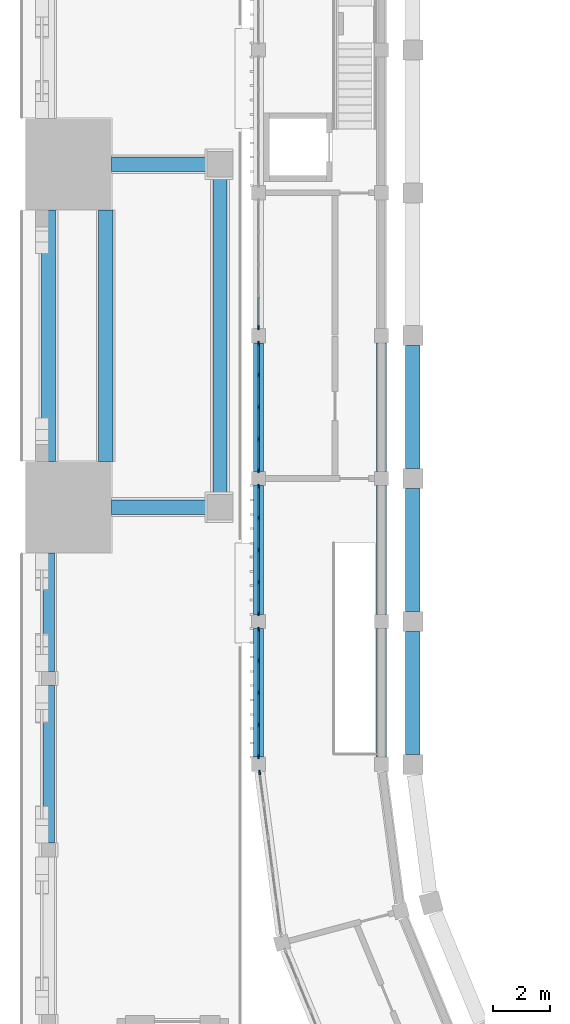
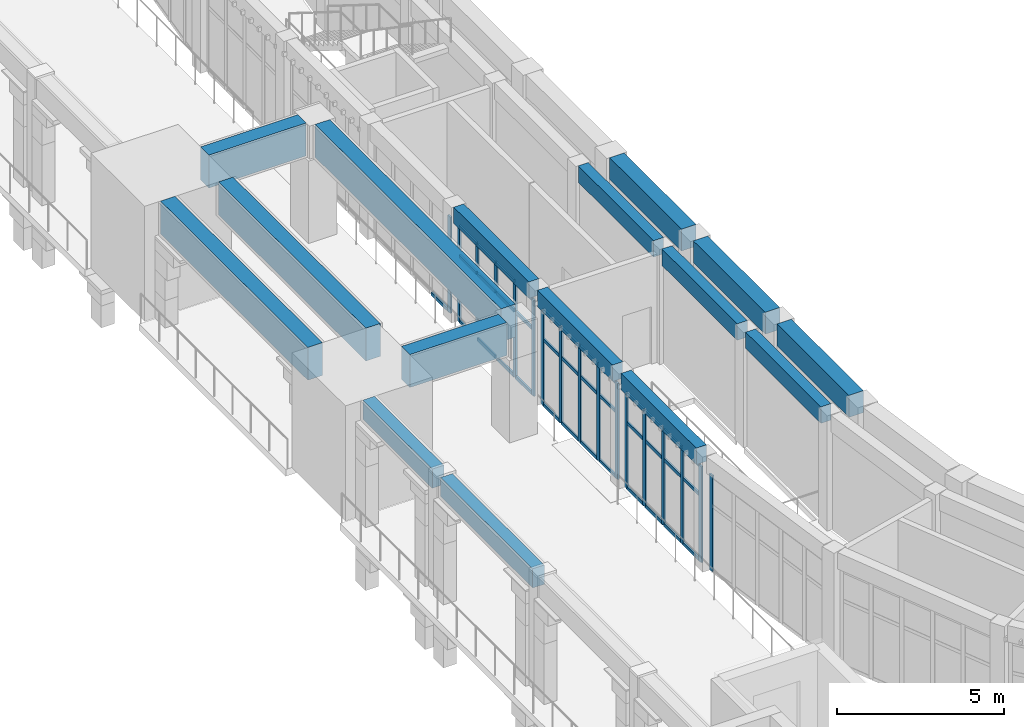
# One storey, part 10 of 99: 54 members, 16 beams, 5 elements without a shape of their own.
"""IFC4 building model written with IfcOpenShell, lengths in metres."""

from ifc_helpers import new_model, si_unit, direction, frame, origin, origin_2d, place, context, subcontext, project, spatial, rectangle, extrude, material, layer, layer_set, material_profile, profile_set, type_object, element, aggregate, save


model = new_model("IFC4")

# Units and contexts
model_context = context("Model", 3, precision=1e-05, world=origin(), true_north=direction((0.0, 1.0)))
body_context = subcontext(model_context, "Body", "Model", "MODEL_VIEW")
ifc_project = project(units=[si_unit("LENGTHUNIT", "METRE"), si_unit("AREAUNIT", "SQUARE_METRE"), si_unit("VOLUMEUNIT", "CUBIC_METRE"), si_unit("PLANEANGLEUNIT", "RADIAN"), si_unit("MASSUNIT", "GRAM", prefix="KILO")], contexts=[model_context])

# Site, building, storey
site_placement = place(None, origin())
site = spatial("IfcSite", under=ifc_project, at=site_placement, CompositionType="ELEMENT")
building_placement = place(site_placement, origin())
building = spatial("IfcBuilding", under=site, at=building_placement, Name="Wasatch Bagh Community Centre", CompositionType="ELEMENT")
storey_placement = place(building_placement, frame((0.0, 0.0, 4.199951171875)))
storey = spatial("IfcBuildingStorey", under=building, at=storey_placement, Name="L01", CompositionType="ELEMENT", Elevation=4.199951171875)

# Beams
ifc_material_1 = material(Name="Concrete C35", Category="concrete")
ifc_material_profile_1 = material_profile(ifc_material_1, rectangle(XDim=0.5, YDim=1.199951171875, at=origin_2d()), Name="RC 500x1200")
ifc_profile_set_1 = profile_set([ifc_material_profile_1], Name="Concrete C35")
beam_type_1 = type_object("IfcBeamType", Name="CP-B1", PredefinedType="BEAM", material=ifc_profile_set_1)
beam_1_placement = place(storey_placement, frame((10.5, 44.449951171875, 3.60009765625), z_axis=(0.0, 1.0, 0.0), x_axis=(-1.0, 0.0, 0.0)))
element("IfcBeam", 1, at=beam_1_placement, inside=storey, type_object=beam_type_1, Name="CP.beam.L01.01", PredefinedType="BEAM", context=body_context, shape_type="SweptSolid", body=[
    extrude(rectangle(XDim=0.5, YDim=1.199951171875, at=origin_2d()), origin(), (0.0, 0.0, 1.0), 11.10009765625),
])
for number, where, z_axis, x_axis, name in (
    (2, (4.5, 45.60009765625, 3.60009765625), (0.0, 1.0, 0.0), (-1.0, 0.0, 0.0), "CP.beam.L01.02"),
    (3, (6.5, 45.60009765625, 3.60009765625), (0.0, 1.0, 0.0), (-1.0, 0.0, 0.0), "CP.beam.L01.03"),
):
    element("IfcBeam", number, at=place(storey_placement, frame(where, z_axis=z_axis, x_axis=x_axis)), inside=storey, type_object=beam_type_1, Name=name, PredefinedType="BEAM", context=body_context, shape_type="SweptSolid", body=[
        extrude(rectangle(XDim=0.5, YDim=1.199951171875, at=origin_2d()), origin(), (0.0, 0.0, 1.0), 8.7998046875),
    ])
for number, where, z_axis, x_axis, name in (
    (4, (6.699951171875, 44.0, 3.60009765625), (1.0, 0.0, 0.0), (0.0, 1.0, 0.0), "CP-B1 deck tie 1"),
    (5, (6.699951171875, 56.0, 3.60009765625), (1.0, 0.0, 0.0), (0.0, 1.0, 0.0), "CP-B1 deck tie 2"),
):
    element("IfcBeam", number, at=place(storey_placement, frame(where, z_axis=z_axis, x_axis=x_axis)), inside=storey, type_object=beam_type_1, Name=name, PredefinedType="BEAM", context=body_context, shape_type="SweptSolid", body=[
        extrude(rectangle(XDim=0.5, YDim=1.199951171875, at=origin_2d()), origin(), (0.0, 0.0, 1.0), 3.35009765625),
    ])
ifc_material_profile_2 = material_profile(ifc_material_1, rectangle(XDim=0.39990234375, YDim=0.699951171875, at=origin_2d()), Name="RC 400x700")
ifc_profile_set_2 = profile_set([ifc_material_profile_2], Name="Concrete C35")
beam_type_2 = type_object("IfcBeamType", Name="CT-B1", PredefinedType="BEAM", material=ifc_profile_set_2)
beam_2_placement = place(storey_placement, frame((4.5, 32.25, 3.85009765625), z_axis=(0.0, 1.0, 0.0), x_axis=(-1.0, 0.0, 0.0)))
element("IfcBeam", 6, at=beam_2_placement, inside=storey, type_object=beam_type_2, Name="CT-B1 terrace arcade spandrel beam 3", PredefinedType="BEAM", context=body_context, shape_type="SweptSolid", body=[
    extrude(rectangle(XDim=0.39990234375, YDim=0.699951171875, at=origin_2d()), origin(), (0.0, 0.0, 1.0), 5.5),
])
beam_3_placement = place(storey_placement, frame((4.5, 38.25, 3.85009765625), z_axis=(0.0, 1.0, 0.0), x_axis=(-1.0, 0.0, 0.0)))
element("IfcBeam", 7, at=beam_3_placement, inside=storey, type_object=beam_type_2, Name="CT-B1 terrace arcade spandrel beam W1", PredefinedType="BEAM", context=body_context, shape_type="SweptSolid", body=[
    extrude(rectangle(XDim=0.39990234375, YDim=0.699951171875, at=origin_2d()), origin(), (0.0, 0.0, 1.0), 4.14990234375),
])

# Curtain wall, member
ifc_material_2 = material(Name="Aluminium curtain wall frame with low-iron insulated glass", Category="aluminium")
ifc_layer_1 = layer(ifc_material_2, 0.14990234375)
ifc_layer_set_1 = layer_set([ifc_layer_1], Name="Aluminium curtain wall frame with low-iron insulated glass")
curtain_wall_type_1 = type_object("IfcCurtainWallType", Name="Drum curtain wall DR-CW2", PredefinedType="NOTDEFINED", material=ifc_layer_set_1)
curtain_wall_1_placement = place(storey_placement, origin())
curtain_wall_1 = element("IfcCurtainWall", 8, at=curtain_wall_1_placement, inside=storey, type_object=curtain_wall_type_1, Name="Curtain wall DR-CW2 1", PredefinedType="NOTDEFINED")
ifc_material_3 = material(Name="Aluminium curtain wall frame", Category="aluminium")
ifc_material_profile_3 = material_profile(ifc_material_3, rectangle(XDim=0.06005859375, YDim=0.159912109375, at=origin_2d()), Name="Drum mullion DR-CW2")
ifc_profile_set_3 = profile_set([ifc_material_profile_3], Name="Aluminium curtain wall frame")
member_type_1 = type_object("IfcMemberType", Name="Drum mullion DR-CW2", PredefinedType="MULLION", material=ifc_profile_set_3)
member_1_placement = place(storey_placement, frame((11.88818359375, 34.7099609375, 0.0), z_axis=(0.0, 0.0, 1.0), x_axis=(0.991444861378, 0.130526192185, 0.0)))
member_1 = element("IfcMember", 9, at=member_1_placement, type_object=member_type_1, Name="DR-CW2 mullion 1", PredefinedType="MULLION", context=body_context, shape_type="SweptSolid", body=[
    extrude(rectangle(XDim=0.06005859375, YDim=0.159912109375, at=origin_2d()), origin(), (0.0, 0.0, 1.0), 3.5),
])
aggregate(curtain_wall_1, [member_1])

ifc_layer_2 = layer(ifc_material_2, 0.14990234375)
ifc_layer_set_2 = layer_set([ifc_layer_2], Name="Aluminium curtain wall frame with low-iron insulated glass")
curtain_wall_type_2 = type_object("IfcCurtainWallType", Name="Drum curtain wall DR-CW4", PredefinedType="NOTDEFINED", material=ifc_layer_set_2)
curtain_wall_2_placement = place(storey_placement, origin())
curtain_wall_2 = element("IfcCurtainWall", 10, at=curtain_wall_2_placement, inside=storey, type_object=curtain_wall_type_2, Name="Curtain wall DR-CW4 33", PredefinedType="NOTDEFINED")
ifc_material_profile_4 = material_profile(ifc_material_3, rectangle(XDim=0.06005859375, YDim=0.159912109375, at=origin_2d()), Name="Drum mullion DR-CW4")
ifc_profile_set_4 = profile_set([ifc_material_profile_4], Name="Aluminium curtain wall frame")
member_type_2 = type_object("IfcMemberType", Name="Drum mullion DR-CW4", PredefinedType="MULLION", material=ifc_profile_set_4)
member_2_placement = place(storey_placement, frame((11.85009765625, 50.280517578125, 0.0), z_axis=(0.0, 0.0, 1.0), x_axis=(1.0, 0.0, 0.0)))
member_2 = element("IfcMember", 11, at=member_2_placement, type_object=member_type_2, Name="DR-CW4 mullion 5", PredefinedType="MULLION", context=body_context, shape_type="SweptSolid", body=[
    extrude(rectangle(XDim=0.06005859375, YDim=0.159912109375, at=origin_2d()), origin(), (0.0, 0.0, 1.0), 3.5),
])

# Curtain wall, members
curtain_wall_3_placement = place(storey_placement, origin())
curtain_wall_3 = element("IfcCurtainWall", 12, at=curtain_wall_3_placement, inside=storey, type_object=curtain_wall_type_2, Name="Curtain wall DR-CW4 34", PredefinedType="NOTDEFINED")
member_3_placement = place(storey_placement, frame((11.85009765625, 49.719482421875, 0.0), z_axis=(0.0, 0.0, 1.0), x_axis=(1.0, 0.0, 0.0)))
member_3 = element("IfcMember", 13, at=member_3_placement, type_object=member_type_2, Name="DR-CW4 mullion 1", PredefinedType="MULLION", context=body_context, shape_type="SweptSolid", body=[
    extrude(rectangle(XDim=0.06005859375, YDim=0.159912109375, at=origin_2d()), origin(), (0.0, 0.0, 1.0), 3.5),
])
member_4_placement = place(storey_placement, frame((11.85009765625, 48.624755859375, 0.0), z_axis=(0.0, 0.0, 1.0), x_axis=(1.0, 0.0, 0.0)))
member_4 = element("IfcMember", 14, at=member_4_placement, type_object=member_type_2, Name="DR-CW4 mullion 2", PredefinedType="MULLION", context=body_context, shape_type="SweptSolid", body=[
    extrude(rectangle(XDim=0.06005859375, YDim=0.159912109375, at=origin_2d()), origin(), (0.0, 0.0, 1.0), 3.5),
])
member_5_placement = place(storey_placement, frame((11.85009765625, 47.5, 0.0), z_axis=(0.0, 0.0, 1.0), x_axis=(1.0, 0.0, 0.0)))
member_5 = element("IfcMember", 15, at=member_5_placement, type_object=member_type_2, Name="DR-CW4 mullion 3", PredefinedType="MULLION", context=body_context, shape_type="SweptSolid", body=[
    extrude(rectangle(XDim=0.06005859375, YDim=0.159912109375, at=origin_2d()), origin(), (0.0, 0.0, 1.0), 3.5),
])
member_6_placement = place(storey_placement, frame((11.85009765625, 46.375244140625, 0.0), z_axis=(0.0, 0.0, 1.0), x_axis=(1.0, 0.0, 0.0)))
member_6 = element("IfcMember", 16, at=member_6_placement, type_object=member_type_2, Name="DR-CW4 mullion 4", PredefinedType="MULLION", context=body_context, shape_type="SweptSolid", body=[
    extrude(rectangle(XDim=0.06005859375, YDim=0.159912109375, at=origin_2d()), origin(), (0.0, 0.0, 1.0), 3.5),
])
member_7_placement = place(storey_placement, frame((11.85009765625, 45.280517578125, 0.0), z_axis=(0.0, 0.0, 1.0), x_axis=(1.0, 0.0, 0.0)))
member_7 = element("IfcMember", 17, at=member_7_placement, type_object=member_type_2, Name="DR-CW4 mullion 5", PredefinedType="MULLION", context=body_context, shape_type="SweptSolid", body=[
    extrude(rectangle(XDim=0.06005859375, YDim=0.159912109375, at=origin_2d()), origin(), (0.0, 0.0, 1.0), 3.5),
])

curtain_wall_4_placement = place(storey_placement, origin())
curtain_wall_4 = element("IfcCurtainWall", 18, at=curtain_wall_4_placement, inside=storey, type_object=curtain_wall_type_2, Name="Curtain wall DR-CW4 35", PredefinedType="NOTDEFINED")
member_8_placement = place(storey_placement, frame((11.85009765625, 44.719482421875, 0.0), z_axis=(0.0, 0.0, 1.0), x_axis=(1.0, 0.0, 0.0)))
member_8 = element("IfcMember", 19, at=member_8_placement, type_object=member_type_2, Name="DR-CW4 mullion 1", PredefinedType="MULLION", context=body_context, shape_type="SweptSolid", body=[
    extrude(rectangle(XDim=0.06005859375, YDim=0.159912109375, at=origin_2d()), origin(), (0.0, 0.0, 1.0), 3.5),
])
member_9_placement = place(storey_placement, frame((11.85009765625, 43.624755859375, 0.0), z_axis=(0.0, 0.0, 1.0), x_axis=(1.0, 0.0, 0.0)))
member_9 = element("IfcMember", 20, at=member_9_placement, type_object=member_type_2, Name="DR-CW4 mullion 2", PredefinedType="MULLION", context=body_context, shape_type="SweptSolid", body=[
    extrude(rectangle(XDim=0.06005859375, YDim=0.159912109375, at=origin_2d()), origin(), (0.0, 0.0, 1.0), 3.5),
])
member_10_placement = place(storey_placement, frame((11.85009765625, 42.5, 0.0), z_axis=(0.0, 0.0, 1.0), x_axis=(1.0, 0.0, 0.0)))
member_10 = element("IfcMember", 21, at=member_10_placement, type_object=member_type_2, Name="DR-CW4 mullion 3", PredefinedType="MULLION", context=body_context, shape_type="SweptSolid", body=[
    extrude(rectangle(XDim=0.06005859375, YDim=0.159912109375, at=origin_2d()), origin(), (0.0, 0.0, 1.0), 3.5),
])
member_11_placement = place(storey_placement, frame((11.85009765625, 41.375244140625, 0.0), z_axis=(0.0, 0.0, 1.0), x_axis=(1.0, 0.0, 0.0)))
member_11 = element("IfcMember", 22, at=member_11_placement, type_object=member_type_2, Name="DR-CW4 mullion 4", PredefinedType="MULLION", context=body_context, shape_type="SweptSolid", body=[
    extrude(rectangle(XDim=0.06005859375, YDim=0.159912109375, at=origin_2d()), origin(), (0.0, 0.0, 1.0), 3.5),
])
member_12_placement = place(storey_placement, frame((11.85009765625, 40.280517578125, 0.0), z_axis=(0.0, 0.0, 1.0), x_axis=(1.0, 0.0, 0.0)))
member_12 = element("IfcMember", 23, at=member_12_placement, type_object=member_type_2, Name="DR-CW4 mullion 5", PredefinedType="MULLION", context=body_context, shape_type="SweptSolid", body=[
    extrude(rectangle(XDim=0.06005859375, YDim=0.159912109375, at=origin_2d()), origin(), (0.0, 0.0, 1.0), 3.5),
])

curtain_wall_5_placement = place(storey_placement, origin())
curtain_wall_5 = element("IfcCurtainWall", 24, at=curtain_wall_5_placement, inside=storey, type_object=curtain_wall_type_2, Name="Curtain wall DR-CW4 36", PredefinedType="NOTDEFINED")
member_13_placement = place(storey_placement, frame((11.85009765625, 39.719482421875, 0.0), z_axis=(0.0, 0.0, 1.0), x_axis=(1.0, 0.0, 0.0)))
member_13 = element("IfcMember", 25, at=member_13_placement, type_object=member_type_2, Name="DR-CW4 mullion 1", PredefinedType="MULLION", context=body_context, shape_type="SweptSolid", body=[
    extrude(rectangle(XDim=0.06005859375, YDim=0.159912109375, at=origin_2d()), origin(), (0.0, 0.0, 1.0), 3.5),
])
member_14_placement = place(storey_placement, frame((11.85009765625, 38.624755859375, 0.0), z_axis=(0.0, 0.0, 1.0), x_axis=(1.0, 0.0, 0.0)))
member_14 = element("IfcMember", 26, at=member_14_placement, type_object=member_type_2, Name="DR-CW4 mullion 2", PredefinedType="MULLION", context=body_context, shape_type="SweptSolid", body=[
    extrude(rectangle(XDim=0.06005859375, YDim=0.159912109375, at=origin_2d()), origin(), (0.0, 0.0, 1.0), 3.5),
])
member_15_placement = place(storey_placement, frame((11.85009765625, 37.5, 0.0), z_axis=(0.0, 0.0, 1.0), x_axis=(1.0, 0.0, 0.0)))
member_15 = element("IfcMember", 27, at=member_15_placement, type_object=member_type_2, Name="DR-CW4 mullion 3", PredefinedType="MULLION", context=body_context, shape_type="SweptSolid", body=[
    extrude(rectangle(XDim=0.06005859375, YDim=0.159912109375, at=origin_2d()), origin(), (0.0, 0.0, 1.0), 3.5),
])
member_16_placement = place(storey_placement, frame((11.85009765625, 36.375244140625, 0.0), z_axis=(0.0, 0.0, 1.0), x_axis=(1.0, 0.0, 0.0)))
member_16 = element("IfcMember", 28, at=member_16_placement, type_object=member_type_2, Name="DR-CW4 mullion 4", PredefinedType="MULLION", context=body_context, shape_type="SweptSolid", body=[
    extrude(rectangle(XDim=0.06005859375, YDim=0.159912109375, at=origin_2d()), origin(), (0.0, 0.0, 1.0), 3.5),
])
member_17_placement = place(storey_placement, frame((11.85009765625, 35.280517578125, 0.0), z_axis=(0.0, 0.0, 1.0), x_axis=(1.0, 0.0, 0.0)))
member_17 = element("IfcMember", 29, at=member_17_placement, type_object=member_type_2, Name="DR-CW4 mullion 5", PredefinedType="MULLION", context=body_context, shape_type="SweptSolid", body=[
    extrude(rectangle(XDim=0.06005859375, YDim=0.159912109375, at=origin_2d()), origin(), (0.0, 0.0, 1.0), 3.5),
])

# Beams
ifc_material_profile_5 = material_profile(ifc_material_1, rectangle(XDim=0.35009765625, YDim=0.60009765625, at=origin_2d()), Name="RC 350x600")
ifc_profile_set_5 = profile_set([ifc_material_profile_5], Name="Concrete C35")
beam_type_3 = type_object("IfcBeamType", Name="Drum ring beam RC 350x600", PredefinedType="BEAM", material=ifc_profile_set_5)
for number, where, z_axis, x_axis, name in (
    (30, (16.14990234375, 49.74951171875, 3.900146484375), (0.0, -1.0, 0.0), (1.0, 0.0, 0.0), "Ring beam 8.4 DI-W4-DI-W3"),
    (31, (16.14990234375, 44.74951171875, 3.900146484375), (0.0, -1.0, 0.0), (1.0, 0.0, 0.0), "Ring beam 8.4 DI-W3-DI-W2"),
    (32, (16.14990234375, 39.74951171875, 3.900146484375), (0.0, -1.0, 0.0), (1.0, 0.0, 0.0), "Ring beam 8.4 DI-W2-DI-W1"),
    (33, (11.85009765625, 49.74951171875, 3.900146484375), (0.0, -1.0, 0.0), (1.0, 0.0, 0.0), "Ring beam 8.4 DO-W4-DO-W3"),
    (34, (11.85009765625, 44.74951171875, 3.900146484375), (0.0, -1.0, 0.0), (1.0, 0.0, 0.0), "Ring beam 8.4 DO-W3-DO-W2"),
    (35, (11.85009765625, 39.74951171875, 3.900146484375), (0.0, -1.0, 0.0), (1.0, 0.0, 0.0), "Ring beam 8.4 DO-W2-DO-W1"),
):
    element("IfcBeam", number, at=place(storey_placement, frame(where, z_axis=z_axis, x_axis=x_axis)), inside=storey, type_object=beam_type_3, Name=name, PredefinedType="BEAM", context=body_context, shape_type="SweptSolid", body=[
        extrude(rectangle(XDim=0.35009765625, YDim=0.60009765625, at=origin_2d()), origin(), (0.0, 0.0, 1.0), 4.4990234375),
    ])

# Member
ifc_material_profile_6 = material_profile(ifc_material_3, rectangle(XDim=0.06005859375, YDim=0.1201171875, at=origin_2d()), Name="Drum transom DR-CW4")
ifc_profile_set_6 = profile_set([ifc_material_profile_6], Name="Aluminium curtain wall frame")
member_type_3 = type_object("IfcMemberType", Name="Drum transom DR-CW4", PredefinedType="USERDEFINED", material=ifc_profile_set_6)
member_18_placement = place(storey_placement, frame((11.85009765625, 51.34521484375, 0.030029296875), z_axis=(0.0, -1.0, 0.0), x_axis=(1.0, 0.0, 0.0)))
member_18 = element("IfcMember", 36, at=member_18_placement, type_object=member_type_3, Name="DR-CW4 transom 4.1", ObjectType="TRANSOM", PredefinedType="USERDEFINED", context=body_context, shape_type="SweptSolid", body=[
    extrude(rectangle(XDim=0.06005859375, YDim=0.1201171875, at=origin_2d()), origin(), (0.0, 0.0, 1.0), 1.03466796875),
])

aggregate(curtain_wall_2, [member_2, member_18])

member_19_placement = place(storey_placement, frame((11.85009765625, 49.689453125, 0.030029296875), z_axis=(0.0, -1.0, 0.0), x_axis=(1.0, 0.0, 0.0)))
member_19 = element("IfcMember", 37, at=member_19_placement, type_object=member_type_3, Name="DR-CW4 transom 1.1", ObjectType="TRANSOM", PredefinedType="USERDEFINED", context=body_context, shape_type="SweptSolid", body=[
    extrude(rectangle(XDim=0.06005859375, YDim=0.1201171875, at=origin_2d()), origin(), (0.0, 0.0, 1.0), 1.03466796875),
])

member_20_placement = place(storey_placement, frame((11.85009765625, 49.689453125, 2.400146484375), z_axis=(0.0, -1.0, 0.0), x_axis=(1.0, 0.0, 0.0)))
member_20 = element("IfcMember", 38, at=member_20_placement, type_object=member_type_3, Name="DR-CW4 transom 1.2", ObjectType="TRANSOM", PredefinedType="USERDEFINED", context=body_context, shape_type="SweptSolid", body=[
    extrude(rectangle(XDim=0.06005859375, YDim=0.1201171875, at=origin_2d()), origin(), (0.0, 0.0, 1.0), 1.03466796875),
])

member_21_placement = place(storey_placement, frame((11.85009765625, 49.689453125, 3.469970703125), z_axis=(0.0, -1.0, 0.0), x_axis=(1.0, 0.0, 0.0)))
member_21 = element("IfcMember", 39, at=member_21_placement, type_object=member_type_3, Name="DR-CW4 transom 1.3", ObjectType="TRANSOM", PredefinedType="USERDEFINED", context=body_context, shape_type="SweptSolid", body=[
    extrude(rectangle(XDim=0.06005859375, YDim=0.1201171875, at=origin_2d()), origin(), (0.0, 0.0, 1.0), 1.03466796875),
])

member_22_placement = place(storey_placement, frame((11.85009765625, 48.5947265625, 0.030029296875), z_axis=(0.0, -1.0, 0.0), x_axis=(1.0, 0.0, 0.0)))
member_22 = element("IfcMember", 40, at=member_22_placement, type_object=member_type_3, Name="DR-CW4 transom 2.1", ObjectType="TRANSOM", PredefinedType="USERDEFINED", context=body_context, shape_type="SweptSolid", body=[
    extrude(rectangle(XDim=0.06005859375, YDim=0.1201171875, at=origin_2d()), origin(), (0.0, 0.0, 1.0), 1.064697265625),
])

member_23_placement = place(storey_placement, frame((11.85009765625, 48.5947265625, 2.400146484375), z_axis=(0.0, -1.0, 0.0), x_axis=(1.0, 0.0, 0.0)))
member_23 = element("IfcMember", 41, at=member_23_placement, type_object=member_type_3, Name="DR-CW4 transom 2.2", ObjectType="TRANSOM", PredefinedType="USERDEFINED", context=body_context, shape_type="SweptSolid", body=[
    extrude(rectangle(XDim=0.06005859375, YDim=0.1201171875, at=origin_2d()), origin(), (0.0, 0.0, 1.0), 1.064697265625),
])

member_24_placement = place(storey_placement, frame((11.85009765625, 48.5947265625, 3.469970703125), z_axis=(0.0, -1.0, 0.0), x_axis=(1.0, 0.0, 0.0)))
member_24 = element("IfcMember", 42, at=member_24_placement, type_object=member_type_3, Name="DR-CW4 transom 2.3", ObjectType="TRANSOM", PredefinedType="USERDEFINED", context=body_context, shape_type="SweptSolid", body=[
    extrude(rectangle(XDim=0.06005859375, YDim=0.1201171875, at=origin_2d()), origin(), (0.0, 0.0, 1.0), 1.064697265625),
])

member_25_placement = place(storey_placement, frame((11.85009765625, 47.469970703125, 0.030029296875), z_axis=(0.0, -1.0, 0.0), x_axis=(1.0, 0.0, 0.0)))
member_25 = element("IfcMember", 43, at=member_25_placement, type_object=member_type_3, Name="DR-CW4 transom 3.1", ObjectType="TRANSOM", PredefinedType="USERDEFINED", context=body_context, shape_type="SweptSolid", body=[
    extrude(rectangle(XDim=0.06005859375, YDim=0.1201171875, at=origin_2d()), origin(), (0.0, 0.0, 1.0), 1.064697265625),
])

member_26_placement = place(storey_placement, frame((11.85009765625, 47.469970703125, 2.400146484375), z_axis=(0.0, -1.0, 0.0), x_axis=(1.0, 0.0, 0.0)))
member_26 = element("IfcMember", 44, at=member_26_placement, type_object=member_type_3, Name="DR-CW4 transom 3.2", ObjectType="TRANSOM", PredefinedType="USERDEFINED", context=body_context, shape_type="SweptSolid", body=[
    extrude(rectangle(XDim=0.06005859375, YDim=0.1201171875, at=origin_2d()), origin(), (0.0, 0.0, 1.0), 1.064697265625),
])

member_27_placement = place(storey_placement, frame((11.85009765625, 47.469970703125, 3.469970703125), z_axis=(0.0, -1.0, 0.0), x_axis=(1.0, 0.0, 0.0)))
member_27 = element("IfcMember", 45, at=member_27_placement, type_object=member_type_3, Name="DR-CW4 transom 3.3", ObjectType="TRANSOM", PredefinedType="USERDEFINED", context=body_context, shape_type="SweptSolid", body=[
    extrude(rectangle(XDim=0.06005859375, YDim=0.1201171875, at=origin_2d()), origin(), (0.0, 0.0, 1.0), 1.064697265625),
])

member_28_placement = place(storey_placement, frame((11.85009765625, 46.34521484375, 0.030029296875), z_axis=(0.0, -1.0, 0.0), x_axis=(1.0, 0.0, 0.0)))
member_28 = element("IfcMember", 46, at=member_28_placement, type_object=member_type_3, Name="DR-CW4 transom 4.1", ObjectType="TRANSOM", PredefinedType="USERDEFINED", context=body_context, shape_type="SweptSolid", body=[
    extrude(rectangle(XDim=0.06005859375, YDim=0.1201171875, at=origin_2d()), origin(), (0.0, 0.0, 1.0), 1.03466796875),
])

member_29_placement = place(storey_placement, frame((11.85009765625, 46.34521484375, 2.400146484375), z_axis=(0.0, -1.0, 0.0), x_axis=(1.0, 0.0, 0.0)))
member_29 = element("IfcMember", 47, at=member_29_placement, type_object=member_type_3, Name="DR-CW4 transom 4.2", ObjectType="TRANSOM", PredefinedType="USERDEFINED", context=body_context, shape_type="SweptSolid", body=[
    extrude(rectangle(XDim=0.06005859375, YDim=0.1201171875, at=origin_2d()), origin(), (0.0, 0.0, 1.0), 1.03466796875),
])

member_30_placement = place(storey_placement, frame((11.85009765625, 46.34521484375, 3.469970703125), z_axis=(0.0, -1.0, 0.0), x_axis=(1.0, 0.0, 0.0)))
member_30 = element("IfcMember", 48, at=member_30_placement, type_object=member_type_3, Name="DR-CW4 transom 4.3", ObjectType="TRANSOM", PredefinedType="USERDEFINED", context=body_context, shape_type="SweptSolid", body=[
    extrude(rectangle(XDim=0.06005859375, YDim=0.1201171875, at=origin_2d()), origin(), (0.0, 0.0, 1.0), 1.03466796875),
])

aggregate(curtain_wall_3, [member_3, member_4, member_5, member_6, member_7, member_19, member_20, member_21, member_22, member_23, member_24, member_25, member_26, member_27, member_28, member_29, member_30])

member_31_placement = place(storey_placement, frame((11.85009765625, 44.689453125, 0.030029296875), z_axis=(0.0, -1.0, 0.0), x_axis=(1.0, 0.0, 0.0)))
member_31 = element("IfcMember", 49, at=member_31_placement, type_object=member_type_3, Name="DR-CW4 transom 1.1", ObjectType="TRANSOM", PredefinedType="USERDEFINED", context=body_context, shape_type="SweptSolid", body=[
    extrude(rectangle(XDim=0.06005859375, YDim=0.1201171875, at=origin_2d()), origin(), (0.0, 0.0, 1.0), 1.03466796875),
])

member_32_placement = place(storey_placement, frame((11.85009765625, 44.689453125, 2.400146484375), z_axis=(0.0, -1.0, 0.0), x_axis=(1.0, 0.0, 0.0)))
member_32 = element("IfcMember", 50, at=member_32_placement, type_object=member_type_3, Name="DR-CW4 transom 1.2", ObjectType="TRANSOM", PredefinedType="USERDEFINED", context=body_context, shape_type="SweptSolid", body=[
    extrude(rectangle(XDim=0.06005859375, YDim=0.1201171875, at=origin_2d()), origin(), (0.0, 0.0, 1.0), 1.03466796875),
])

member_33_placement = place(storey_placement, frame((11.85009765625, 44.689453125, 3.469970703125), z_axis=(0.0, -1.0, 0.0), x_axis=(1.0, 0.0, 0.0)))
member_33 = element("IfcMember", 51, at=member_33_placement, type_object=member_type_3, Name="DR-CW4 transom 1.3", ObjectType="TRANSOM", PredefinedType="USERDEFINED", context=body_context, shape_type="SweptSolid", body=[
    extrude(rectangle(XDim=0.06005859375, YDim=0.1201171875, at=origin_2d()), origin(), (0.0, 0.0, 1.0), 1.03466796875),
])

member_34_placement = place(storey_placement, frame((11.85009765625, 43.5947265625, 0.030029296875), z_axis=(0.0, -1.0, 0.0), x_axis=(1.0, 0.0, 0.0)))
member_34 = element("IfcMember", 52, at=member_34_placement, type_object=member_type_3, Name="DR-CW4 transom 2.1", ObjectType="TRANSOM", PredefinedType="USERDEFINED", context=body_context, shape_type="SweptSolid", body=[
    extrude(rectangle(XDim=0.06005859375, YDim=0.1201171875, at=origin_2d()), origin(), (0.0, 0.0, 1.0), 1.064697265625),
])

member_35_placement = place(storey_placement, frame((11.85009765625, 43.5947265625, 2.400146484375), z_axis=(0.0, -1.0, 0.0), x_axis=(1.0, 0.0, 0.0)))
member_35 = element("IfcMember", 53, at=member_35_placement, type_object=member_type_3, Name="DR-CW4 transom 2.2", ObjectType="TRANSOM", PredefinedType="USERDEFINED", context=body_context, shape_type="SweptSolid", body=[
    extrude(rectangle(XDim=0.06005859375, YDim=0.1201171875, at=origin_2d()), origin(), (0.0, 0.0, 1.0), 1.064697265625),
])

member_36_placement = place(storey_placement, frame((11.85009765625, 43.5947265625, 3.469970703125), z_axis=(0.0, -1.0, 0.0), x_axis=(1.0, 0.0, 0.0)))
member_36 = element("IfcMember", 54, at=member_36_placement, type_object=member_type_3, Name="DR-CW4 transom 2.3", ObjectType="TRANSOM", PredefinedType="USERDEFINED", context=body_context, shape_type="SweptSolid", body=[
    extrude(rectangle(XDim=0.06005859375, YDim=0.1201171875, at=origin_2d()), origin(), (0.0, 0.0, 1.0), 1.064697265625),
])

member_37_placement = place(storey_placement, frame((11.85009765625, 42.469970703125, 0.030029296875), z_axis=(0.0, -1.0, 0.0), x_axis=(1.0, 0.0, 0.0)))
member_37 = element("IfcMember", 55, at=member_37_placement, type_object=member_type_3, Name="DR-CW4 transom 3.1", ObjectType="TRANSOM", PredefinedType="USERDEFINED", context=body_context, shape_type="SweptSolid", body=[
    extrude(rectangle(XDim=0.06005859375, YDim=0.1201171875, at=origin_2d()), origin(), (0.0, 0.0, 1.0), 1.064697265625),
])

member_38_placement = place(storey_placement, frame((11.85009765625, 42.469970703125, 2.400146484375), z_axis=(0.0, -1.0, 0.0), x_axis=(1.0, 0.0, 0.0)))
member_38 = element("IfcMember", 56, at=member_38_placement, type_object=member_type_3, Name="DR-CW4 transom 3.2", ObjectType="TRANSOM", PredefinedType="USERDEFINED", context=body_context, shape_type="SweptSolid", body=[
    extrude(rectangle(XDim=0.06005859375, YDim=0.1201171875, at=origin_2d()), origin(), (0.0, 0.0, 1.0), 1.064697265625),
])

member_39_placement = place(storey_placement, frame((11.85009765625, 42.469970703125, 3.469970703125), z_axis=(0.0, -1.0, 0.0), x_axis=(1.0, 0.0, 0.0)))
member_39 = element("IfcMember", 57, at=member_39_placement, type_object=member_type_3, Name="DR-CW4 transom 3.3", ObjectType="TRANSOM", PredefinedType="USERDEFINED", context=body_context, shape_type="SweptSolid", body=[
    extrude(rectangle(XDim=0.06005859375, YDim=0.1201171875, at=origin_2d()), origin(), (0.0, 0.0, 1.0), 1.064697265625),
])

member_40_placement = place(storey_placement, frame((11.85009765625, 41.34521484375, 0.030029296875), z_axis=(0.0, -1.0, 0.0), x_axis=(1.0, 0.0, 0.0)))
member_40 = element("IfcMember", 58, at=member_40_placement, type_object=member_type_3, Name="DR-CW4 transom 4.1", ObjectType="TRANSOM", PredefinedType="USERDEFINED", context=body_context, shape_type="SweptSolid", body=[
    extrude(rectangle(XDim=0.06005859375, YDim=0.1201171875, at=origin_2d()), origin(), (0.0, 0.0, 1.0), 1.03466796875),
])

member_41_placement = place(storey_placement, frame((11.85009765625, 41.34521484375, 2.400146484375), z_axis=(0.0, -1.0, 0.0), x_axis=(1.0, 0.0, 0.0)))
member_41 = element("IfcMember", 59, at=member_41_placement, type_object=member_type_3, Name="DR-CW4 transom 4.2", ObjectType="TRANSOM", PredefinedType="USERDEFINED", context=body_context, shape_type="SweptSolid", body=[
    extrude(rectangle(XDim=0.06005859375, YDim=0.1201171875, at=origin_2d()), origin(), (0.0, 0.0, 1.0), 1.03466796875),
])

member_42_placement = place(storey_placement, frame((11.85009765625, 41.34521484375, 3.469970703125), z_axis=(0.0, -1.0, 0.0), x_axis=(1.0, 0.0, 0.0)))
member_42 = element("IfcMember", 60, at=member_42_placement, type_object=member_type_3, Name="DR-CW4 transom 4.3", ObjectType="TRANSOM", PredefinedType="USERDEFINED", context=body_context, shape_type="SweptSolid", body=[
    extrude(rectangle(XDim=0.06005859375, YDim=0.1201171875, at=origin_2d()), origin(), (0.0, 0.0, 1.0), 1.03466796875),
])

aggregate(curtain_wall_4, [member_8, member_9, member_10, member_11, member_12, member_31, member_32, member_33, member_34, member_35, member_36, member_37, member_38, member_39, member_40, member_41, member_42])

member_43_placement = place(storey_placement, frame((11.85009765625, 39.689453125, 0.030029296875), z_axis=(0.0, -1.0, 0.0), x_axis=(1.0, 0.0, 0.0)))
member_43 = element("IfcMember", 61, at=member_43_placement, type_object=member_type_3, Name="DR-CW4 transom 1.1", ObjectType="TRANSOM", PredefinedType="USERDEFINED", context=body_context, shape_type="SweptSolid", body=[
    extrude(rectangle(XDim=0.06005859375, YDim=0.1201171875, at=origin_2d()), origin(), (0.0, 0.0, 1.0), 1.03466796875),
])

member_44_placement = place(storey_placement, frame((11.85009765625, 39.689453125, 2.400146484375), z_axis=(0.0, -1.0, 0.0), x_axis=(1.0, 0.0, 0.0)))
member_44 = element("IfcMember", 62, at=member_44_placement, type_object=member_type_3, Name="DR-CW4 transom 1.2", ObjectType="TRANSOM", PredefinedType="USERDEFINED", context=body_context, shape_type="SweptSolid", body=[
    extrude(rectangle(XDim=0.06005859375, YDim=0.1201171875, at=origin_2d()), origin(), (0.0, 0.0, 1.0), 1.03466796875),
])

member_45_placement = place(storey_placement, frame((11.85009765625, 39.689453125, 3.469970703125), z_axis=(0.0, -1.0, 0.0), x_axis=(1.0, 0.0, 0.0)))
member_45 = element("IfcMember", 63, at=member_45_placement, type_object=member_type_3, Name="DR-CW4 transom 1.3", ObjectType="TRANSOM", PredefinedType="USERDEFINED", context=body_context, shape_type="SweptSolid", body=[
    extrude(rectangle(XDim=0.06005859375, YDim=0.1201171875, at=origin_2d()), origin(), (0.0, 0.0, 1.0), 1.03466796875),
])

member_46_placement = place(storey_placement, frame((11.85009765625, 38.5947265625, 0.030029296875), z_axis=(0.0, -1.0, 0.0), x_axis=(1.0, 0.0, 0.0)))
member_46 = element("IfcMember", 64, at=member_46_placement, type_object=member_type_3, Name="DR-CW4 transom 2.1", ObjectType="TRANSOM", PredefinedType="USERDEFINED", context=body_context, shape_type="SweptSolid", body=[
    extrude(rectangle(XDim=0.06005859375, YDim=0.1201171875, at=origin_2d()), origin(), (0.0, 0.0, 1.0), 1.064697265625),
])

member_47_placement = place(storey_placement, frame((11.85009765625, 38.5947265625, 2.400146484375), z_axis=(0.0, -1.0, 0.0), x_axis=(1.0, 0.0, 0.0)))
member_47 = element("IfcMember", 65, at=member_47_placement, type_object=member_type_3, Name="DR-CW4 transom 2.2", ObjectType="TRANSOM", PredefinedType="USERDEFINED", context=body_context, shape_type="SweptSolid", body=[
    extrude(rectangle(XDim=0.06005859375, YDim=0.1201171875, at=origin_2d()), origin(), (0.0, 0.0, 1.0), 1.064697265625),
])

member_48_placement = place(storey_placement, frame((11.85009765625, 38.5947265625, 3.469970703125), z_axis=(0.0, -1.0, 0.0), x_axis=(1.0, 0.0, 0.0)))
member_48 = element("IfcMember", 66, at=member_48_placement, type_object=member_type_3, Name="DR-CW4 transom 2.3", ObjectType="TRANSOM", PredefinedType="USERDEFINED", context=body_context, shape_type="SweptSolid", body=[
    extrude(rectangle(XDim=0.06005859375, YDim=0.1201171875, at=origin_2d()), origin(), (0.0, 0.0, 1.0), 1.064697265625),
])

member_49_placement = place(storey_placement, frame((11.85009765625, 37.469970703125, 0.030029296875), z_axis=(0.0, -1.0, 0.0), x_axis=(1.0, 0.0, 0.0)))
member_49 = element("IfcMember", 67, at=member_49_placement, type_object=member_type_3, Name="DR-CW4 transom 3.1", ObjectType="TRANSOM", PredefinedType="USERDEFINED", context=body_context, shape_type="SweptSolid", body=[
    extrude(rectangle(XDim=0.06005859375, YDim=0.1201171875, at=origin_2d()), origin(), (0.0, 0.0, 1.0), 1.064697265625),
])

member_50_placement = place(storey_placement, frame((11.85009765625, 37.469970703125, 2.400146484375), z_axis=(0.0, -1.0, 0.0), x_axis=(1.0, 0.0, 0.0)))
member_50 = element("IfcMember", 68, at=member_50_placement, type_object=member_type_3, Name="DR-CW4 transom 3.2", ObjectType="TRANSOM", PredefinedType="USERDEFINED", context=body_context, shape_type="SweptSolid", body=[
    extrude(rectangle(XDim=0.06005859375, YDim=0.1201171875, at=origin_2d()), origin(), (0.0, 0.0, 1.0), 1.064697265625),
])

member_51_placement = place(storey_placement, frame((11.85009765625, 37.469970703125, 3.469970703125), z_axis=(0.0, -1.0, 0.0), x_axis=(1.0, 0.0, 0.0)))
member_51 = element("IfcMember", 69, at=member_51_placement, type_object=member_type_3, Name="DR-CW4 transom 3.3", ObjectType="TRANSOM", PredefinedType="USERDEFINED", context=body_context, shape_type="SweptSolid", body=[
    extrude(rectangle(XDim=0.06005859375, YDim=0.1201171875, at=origin_2d()), origin(), (0.0, 0.0, 1.0), 1.064697265625),
])

member_52_placement = place(storey_placement, frame((11.85009765625, 36.34521484375, 0.030029296875), z_axis=(0.0, -1.0, 0.0), x_axis=(1.0, 0.0, 0.0)))
member_52 = element("IfcMember", 70, at=member_52_placement, type_object=member_type_3, Name="DR-CW4 transom 4.1", ObjectType="TRANSOM", PredefinedType="USERDEFINED", context=body_context, shape_type="SweptSolid", body=[
    extrude(rectangle(XDim=0.06005859375, YDim=0.1201171875, at=origin_2d()), origin(), (0.0, 0.0, 1.0), 1.03466796875),
])

member_53_placement = place(storey_placement, frame((11.85009765625, 36.34521484375, 2.400146484375), z_axis=(0.0, -1.0, 0.0), x_axis=(1.0, 0.0, 0.0)))
member_53 = element("IfcMember", 71, at=member_53_placement, type_object=member_type_3, Name="DR-CW4 transom 4.2", ObjectType="TRANSOM", PredefinedType="USERDEFINED", context=body_context, shape_type="SweptSolid", body=[
    extrude(rectangle(XDim=0.06005859375, YDim=0.1201171875, at=origin_2d()), origin(), (0.0, 0.0, 1.0), 1.03466796875),
])

member_54_placement = place(storey_placement, frame((11.85009765625, 36.34521484375, 3.469970703125), z_axis=(0.0, -1.0, 0.0), x_axis=(1.0, 0.0, 0.0)))
member_54 = element("IfcMember", 72, at=member_54_placement, type_object=member_type_3, Name="DR-CW4 transom 4.3", ObjectType="TRANSOM", PredefinedType="USERDEFINED", context=body_context, shape_type="SweptSolid", body=[
    extrude(rectangle(XDim=0.06005859375, YDim=0.1201171875, at=origin_2d()), origin(), (0.0, 0.0, 1.0), 1.03466796875),
])

aggregate(curtain_wall_5, [member_13, member_14, member_15, member_16, member_17, member_43, member_44, member_45, member_46, member_47, member_48, member_49, member_50, member_51, member_52, member_53, member_54])

# Beams
ifc_material_profile_7 = material_profile(ifc_material_1, rectangle(XDim=0.5, YDim=0.800048828125, at=origin_2d()), Name="RC 500x800")
ifc_profile_set_7 = profile_set([ifc_material_profile_7], Name="Concrete C35")
beam_type_4 = type_object("IfcBeamType", Name="MH ring beam RC 500x800", PredefinedType="BEAM", material=ifc_profile_set_7)
for number, where, z_axis, x_axis, name in (
    (73, (17.25, 49.6494140625, 3.800048828125), (0.0, -1.0, 0.0), (1.0, 0.0, 0.0), "Ring beam 8.4 W4-W3"),
    (74, (17.25, 44.6494140625, 3.800048828125), (0.0, -1.0, 0.0), (1.0, 0.0, 0.0), "Ring beam 8.4 W3-W2"),
    (75, (17.25, 39.6494140625, 3.800048828125), (0.0, -1.0, 0.0), (1.0, 0.0, 0.0), "Ring beam 8.4 W2-W1"),
):
    element("IfcBeam", number, at=place(storey_placement, frame(where, z_axis=z_axis, x_axis=x_axis)), inside=storey, type_object=beam_type_4, Name=name, PredefinedType="BEAM", context=body_context, shape_type="SweptSolid", body=[
        extrude(rectangle(XDim=0.5, YDim=0.800048828125, at=origin_2d()), origin(), (0.0, 0.0, 1.0), 4.298828125),
    ])

save(model, "model.ifc")
